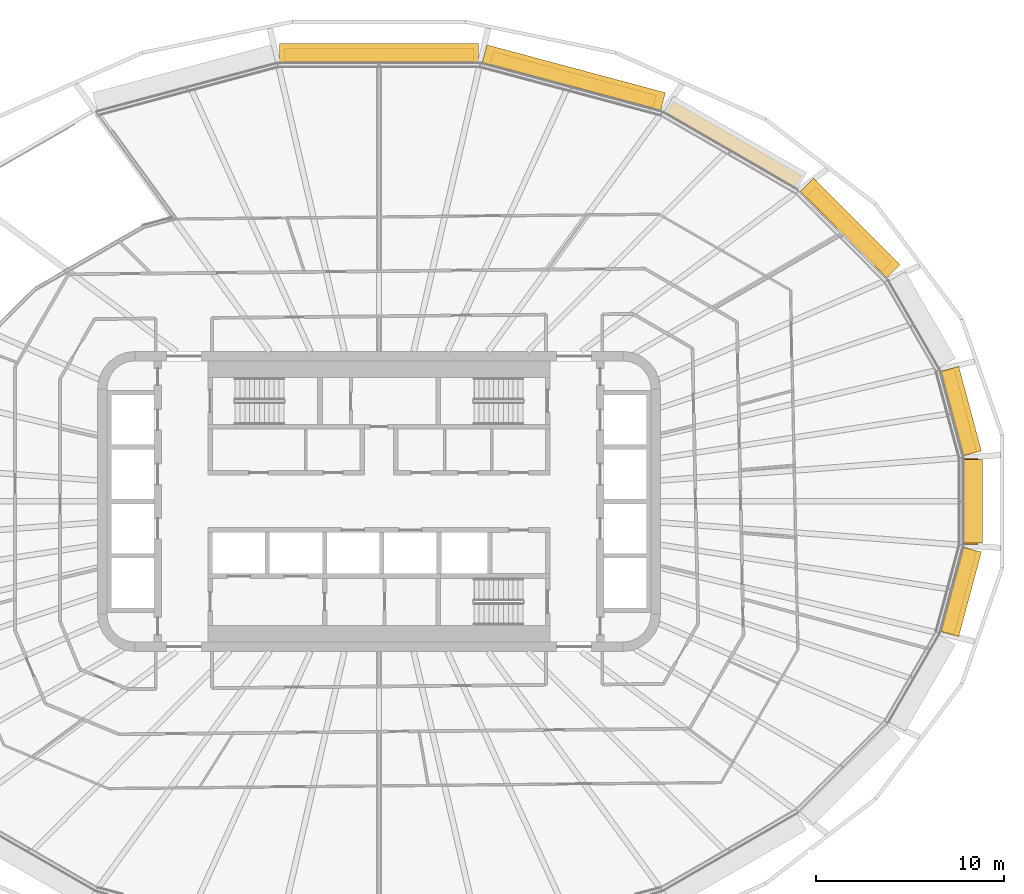
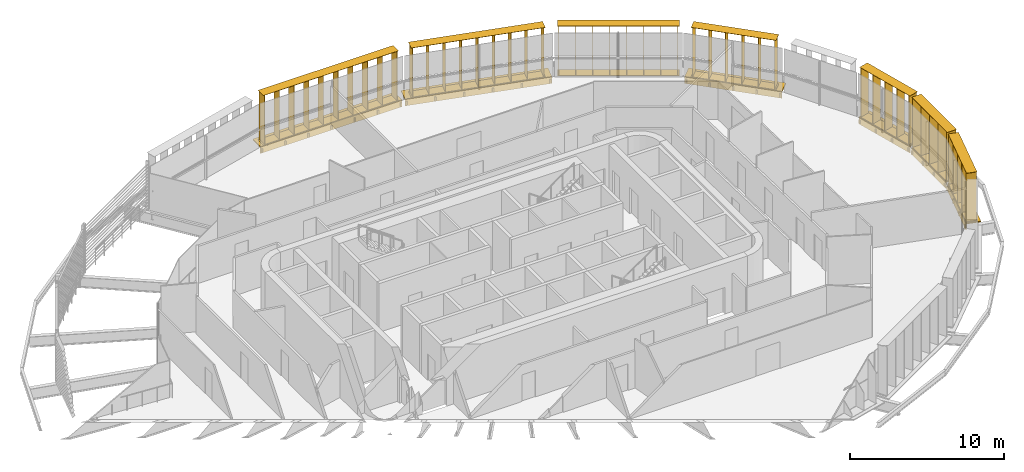
# One storey, part 23 of 23: 13 shading devices.
"""IFC4 building model written with IfcOpenShell, lengths in metres."""

from ifc_helpers import new_model, si_unit, direction, frame, origin, origin_2d, place, context, subcontext, project, spatial, rectangle, extrude, material, type_object, element, save


model = new_model("IFC4")

# Units and contexts
model_context = context("Model", 3, precision=1e-05, world=origin(), true_north=direction((0.0, 1.0)))
body_context = subcontext(model_context, "Body", "Model", "MODEL_VIEW")
ifc_project = project(units=[si_unit("LENGTHUNIT", "METRE"), si_unit("AREAUNIT", "SQUARE_METRE"), si_unit("VOLUMEUNIT", "CUBIC_METRE"), si_unit("PLANEANGLEUNIT", "RADIAN"), si_unit("MASSUNIT", "GRAM", prefix="KILO")], contexts=[model_context])

# Site, building, storey
site_placement = place(None, origin())
site = spatial("IfcSite", under=ifc_project, at=site_placement, CompositionType="ELEMENT")
building_placement = place(site_placement, origin())
building = spatial("IfcBuilding", under=site, at=building_placement, Name="Sahrelin Media Tower", CompositionType="ELEMENT")
storey_placement = place(building_placement, frame((0.0, 0.0, 173.60009765625)))
storey = spatial("IfcBuildingStorey", under=building, at=storey_placement, Name="L36", CompositionType="ELEMENT", Elevation=173.60009765625)

# Shading devices
ifc_material = material(Name="Champagne anodised aluminium 6063-T6", Category="aluminium")
shading_device_type_1 = type_object("IfcShadingDeviceType", Name="Fin cassette", PredefinedType="USERDEFINED", material=ifc_material)
placement_1 = place(storey_placement, frame((31.14892578125, 0.0, 0.0), z_axis=(0.0, 0.0, 1.0), x_axis=(0.0, -1.0, 0.0)))
element("IfcShadingDevice", 1, at=placement_1, inside=storey, type_object=shading_device_type_1, Name="L36:FIN:L36-00", ObjectType="FIN", PredefinedType="USERDEFINED", context=body_context, shape_type="SweptSolid", body=[
    extrude(rectangle(XDim=4.60009765625, YDim=0.699951171875, at=origin_2d()), frame((0.0, 0.419921875, 0.0)), (0.0, 0.0, 1.0), 0.02001953125),
    extrude(rectangle(XDim=4.60009765625, YDim=0.699951171875, at=origin_2d()), frame((0.0, 0.419921875, 3.89990234375)), (0.0, 0.0, 1.0), 0.02001953125),
    extrude(rectangle(XDim=0.02001953125, YDim=0.699951171875, at=origin_2d()), frame((-2.199951171875, 0.419921875, 0.010009765625), z_axis=(0.0, 0.0, 1.0), x_axis=(1.0, 0.0, 0.0)), (0.0, 0.0, 1.0), 3.89990234375),
    extrude(rectangle(XDim=0.02001953125, YDim=0.699951171875, at=origin_2d()), frame((-1.10009765625, 0.419921875, 0.010009765625), z_axis=(0.0, 0.0, 1.0), x_axis=(1.0, 0.0, 0.0)), (0.0, 0.0, 1.0), 3.89990234375),
    extrude(rectangle(XDim=0.02001953125, YDim=0.699951171875, at=origin_2d()), frame((0.0, 0.419921875, 0.010009765625), z_axis=(0.0, 0.0, 1.0), x_axis=(1.0, 0.0, 0.0)), (0.0, 0.0, 1.0), 3.89990234375),
    extrude(rectangle(XDim=0.02001953125, YDim=0.699951171875, at=origin_2d()), frame((1.10009765625, 0.419921875, 0.010009765625), z_axis=(0.0, 0.0, 1.0), x_axis=(1.0, 0.0, 0.0)), (0.0, 0.0, 1.0), 3.89990234375),
    extrude(rectangle(XDim=0.02001953125, YDim=0.699951171875, at=origin_2d()), frame((2.199951171875, 0.419921875, 0.010009765625), z_axis=(0.0, 0.0, 1.0), x_axis=(1.0, 0.0, 0.0)), (0.0, 0.0, 1.0), 3.89990234375),
])
placement_2 = place(storey_placement, frame((30.51904296875, 4.677978515625, 0.0), z_axis=(0.0, 0.0, 1.0), x_axis=(0.258807731996, -0.965928857556, 0.0)))
element("IfcShadingDevice", 2, at=placement_2, inside=storey, type_object=shading_device_type_1, Name="L36:FIN:L36-01", ObjectType="FIN", PredefinedType="USERDEFINED", context=body_context, shape_type="SweptSolid", body=[
    extrude(rectangle(XDim=4.60009765625, YDim=0.699951171875, at=origin_2d()), frame((0.0, 0.419921875, 0.0)), (0.0, 0.0, 1.0), 0.02001953125),
    extrude(rectangle(XDim=4.60009765625, YDim=0.699951171875, at=origin_2d()), frame((0.0, 0.419921875, 3.89990234375)), (0.0, 0.0, 1.0), 0.02001953125),
    extrude(rectangle(XDim=0.02001953125, YDim=0.699951171875, at=origin_2d()), frame((-2.199951171875, 0.419921875, 0.010009765625), z_axis=(0.0, 0.0, 1.0), x_axis=(1.0, 0.0, 0.0)), (0.0, 0.0, 1.0), 3.89990234375),
    extrude(rectangle(XDim=0.02001953125, YDim=0.699951171875, at=origin_2d()), frame((-1.10009765625, 0.419921875, 0.010009765625), z_axis=(0.0, 0.0, 1.0), x_axis=(1.0, 0.0, 0.0)), (0.0, 0.0, 1.0), 3.89990234375),
    extrude(rectangle(XDim=0.02001953125, YDim=0.699951171875, at=origin_2d()), frame((0.0, 0.419921875, 0.010009765625), z_axis=(0.0, 0.0, 1.0), x_axis=(1.0, 0.0, 0.0)), (0.0, 0.0, 1.0), 3.89990234375),
    extrude(rectangle(XDim=0.02001953125, YDim=0.699951171875, at=origin_2d()), frame((1.10009765625, 0.419921875, 0.010009765625), z_axis=(0.0, 0.0, 1.0), x_axis=(1.0, 0.0, 0.0)), (0.0, 0.0, 1.0), 3.89990234375),
    extrude(rectangle(XDim=0.02001953125, YDim=0.699951171875, at=origin_2d()), frame((2.199951171875, 0.419921875, 0.010009765625), z_axis=(0.0, 0.0, 1.0), x_axis=(1.0, 0.0, 0.0)), (0.0, 0.0, 1.0), 3.89990234375),
])
placement_3 = place(storey_placement, frame((24.740966796875, 14.2041015625, 0.0), z_axis=(0.0, 0.0, 1.0), x_axis=(0.707106781187, -0.707106781187, 0.0)))
element("IfcShadingDevice", 3, at=placement_3, inside=storey, type_object=shading_device_type_1, Name="L36:FIN:L36-03", ObjectType="FIN", PredefinedType="USERDEFINED", context=body_context, shape_type="SweptSolid", body=[
    extrude(rectangle(XDim=5.699951171875, YDim=0.699951171875, at=origin_2d()), frame((0.0, 0.419921875, 0.0)), (0.0, 0.0, 1.0), 0.02001953125),
    extrude(rectangle(XDim=5.699951171875, YDim=0.699951171875, at=origin_2d()), frame((0.0, 0.419921875, 3.89990234375)), (0.0, 0.0, 1.0), 0.02001953125),
    extrude(rectangle(XDim=0.02001953125, YDim=0.699951171875, at=origin_2d()), frame((-2.75, 0.419921875, 0.010009765625), z_axis=(0.0, 0.0, 1.0), x_axis=(1.0, 0.0, 0.0)), (0.0, 0.0, 1.0), 3.89990234375),
    extrude(rectangle(XDim=0.02001953125, YDim=0.699951171875, at=origin_2d()), frame((-1.64990234375, 0.419921875, 0.010009765625), z_axis=(0.0, 0.0, 1.0), x_axis=(1.0, 0.0, 0.0)), (0.0, 0.0, 1.0), 3.89990234375),
    extrude(rectangle(XDim=0.02001953125, YDim=0.699951171875, at=origin_2d()), frame((-0.550048828125, 0.419921875, 0.010009765625), z_axis=(0.0, 0.0, 1.0), x_axis=(1.0, 0.0, 0.0)), (0.0, 0.0, 1.0), 3.89990234375),
    extrude(rectangle(XDim=0.02001953125, YDim=0.699951171875, at=origin_2d()), frame((0.550048828125, 0.419921875, 0.010009765625), z_axis=(0.0, 0.0, 1.0), x_axis=(1.0, 0.0, 0.0)), (0.0, 0.0, 1.0), 3.89990234375),
    extrude(rectangle(XDim=0.02001953125, YDim=0.699951171875, at=origin_2d()), frame((1.64990234375, 0.419921875, 0.010009765625), z_axis=(0.0, 0.0, 1.0), x_axis=(1.0, 0.0, 0.0)), (0.0, 0.0, 1.0), 3.89990234375),
    extrude(rectangle(XDim=0.02001953125, YDim=0.699951171875, at=origin_2d()), frame((2.75, 0.419921875, 0.010009765625), z_axis=(0.0, 0.0, 1.0), x_axis=(1.0, 0.0, 0.0)), (0.0, 0.0, 1.0), 3.89990234375),
])
shading_device_4_placement = place(storey_placement, frame((18.73095703125, 18.67919921875, 0.0), z_axis=(0.0, 0.0, 1.0), x_axis=(0.866019052629, -0.500011000363, 0.0)))
element("IfcShadingDevice", 4, at=shading_device_4_placement, inside=storey, type_object=shading_device_type_1, Name="L36:FIN:L36-04", ObjectType="FIN", PredefinedType="USERDEFINED", context=body_context, shape_type="SweptSolid", body=[
    extrude(rectangle(XDim=7.89990234375, YDim=0.699951171875, at=origin_2d()), frame((0.0, 0.419921875, 0.0)), (0.0, 0.0, 1.0), 0.02001953125),
    extrude(rectangle(XDim=7.89990234375, YDim=0.699951171875, at=origin_2d()), frame((0.0, 0.419921875, 3.89990234375)), (0.0, 0.0, 1.0), 0.02001953125),
    extrude(rectangle(XDim=0.02001953125, YDim=0.699951171875, at=origin_2d()), frame((-3.85009765625, 0.419921875, 0.010009765625), z_axis=(0.0, 0.0, 1.0), x_axis=(1.0, 0.0, 0.0)), (0.0, 0.0, 1.0), 3.89990234375),
    extrude(rectangle(XDim=0.02001953125, YDim=0.699951171875, at=origin_2d()), frame((-2.75, 0.419921875, 0.010009765625), z_axis=(0.0, 0.0, 1.0), x_axis=(1.0, 0.0, 0.0)), (0.0, 0.0, 1.0), 3.89990234375),
    extrude(rectangle(XDim=0.02001953125, YDim=0.699951171875, at=origin_2d()), frame((-1.64990234375, 0.419921875, 0.010009765625), z_axis=(0.0, 0.0, 1.0), x_axis=(1.0, 0.0, 0.0)), (0.0, 0.0, 1.0), 3.89990234375),
    extrude(rectangle(XDim=0.02001953125, YDim=0.699951171875, at=origin_2d()), frame((-0.550048828125, 0.419921875, 0.010009765625), z_axis=(0.0, 0.0, 1.0), x_axis=(1.0, 0.0, 0.0)), (0.0, 0.0, 1.0), 3.89990234375),
    extrude(rectangle(XDim=0.02001953125, YDim=0.699951171875, at=origin_2d()), frame((0.550048828125, 0.419921875, 0.010009765625), z_axis=(0.0, 0.0, 1.0), x_axis=(1.0, 0.0, 0.0)), (0.0, 0.0, 1.0), 3.89990234375),
    extrude(rectangle(XDim=0.02001953125, YDim=0.699951171875, at=origin_2d()), frame((1.64990234375, 0.419921875, 0.010009765625), z_axis=(0.0, 0.0, 1.0), x_axis=(1.0, 0.0, 0.0)), (0.0, 0.0, 1.0), 3.89990234375),
    extrude(rectangle(XDim=0.02001953125, YDim=0.699951171875, at=origin_2d()), frame((2.75, 0.419921875, 0.010009765625), z_axis=(0.0, 0.0, 1.0), x_axis=(1.0, 0.0, 0.0)), (0.0, 0.0, 1.0), 3.89990234375),
    extrude(rectangle(XDim=0.02001953125, YDim=0.699951171875, at=origin_2d()), frame((3.85009765625, 0.419921875, 0.010009765625), z_axis=(0.0, 0.0, 1.0), x_axis=(1.0, 0.0, 0.0)), (0.0, 0.0, 1.0), 3.89990234375),
])
placement_4 = place(storey_placement, frame((10.2470703125, 22.076171875, 0.0), z_axis=(0.0, 0.0, 1.0), x_axis=(0.965928857556, -0.258807731996, 0.0)))
element("IfcShadingDevice", 5, at=placement_4, inside=storey, type_object=shading_device_type_1, Name="L36:FIN:L36-05", ObjectType="FIN", PredefinedType="USERDEFINED", context=body_context, shape_type="SweptSolid", body=[
    extrude(rectangle(XDim=9.0, YDim=0.699951171875, at=origin_2d()), frame((0.0, 0.419921875, 0.0)), (0.0, 0.0, 1.0), 0.02001953125),
    extrude(rectangle(XDim=9.0, YDim=0.699951171875, at=origin_2d()), frame((0.0, 0.419921875, 3.89990234375)), (0.0, 0.0, 1.0), 0.02001953125),
    extrude(rectangle(XDim=0.02001953125, YDim=0.699951171875, at=origin_2d()), frame((-4.39990234375, 0.419921875, 0.010009765625), z_axis=(0.0, 0.0, 1.0), x_axis=(1.0, 0.0, 0.0)), (0.0, 0.0, 1.0), 3.89990234375),
    extrude(rectangle(XDim=0.02001953125, YDim=0.699951171875, at=origin_2d()), frame((-3.300048828125, 0.419921875, 0.010009765625), z_axis=(0.0, 0.0, 1.0), x_axis=(1.0, 0.0, 0.0)), (0.0, 0.0, 1.0), 3.89990234375),
    extrude(rectangle(XDim=0.02001953125, YDim=0.699951171875, at=origin_2d()), frame((-2.199951171875, 0.419921875, 0.010009765625), z_axis=(0.0, 0.0, 1.0), x_axis=(1.0, 0.0, 0.0)), (0.0, 0.0, 1.0), 3.89990234375),
    extrude(rectangle(XDim=0.02001953125, YDim=0.699951171875, at=origin_2d()), frame((-1.10009765625, 0.419921875, 0.010009765625), z_axis=(0.0, 0.0, 1.0), x_axis=(1.0, 0.0, 0.0)), (0.0, 0.0, 1.0), 3.89990234375),
    extrude(rectangle(XDim=0.02001953125, YDim=0.699951171875, at=origin_2d()), frame((0.0, 0.419921875, 0.010009765625), z_axis=(0.0, 0.0, 1.0), x_axis=(1.0, 0.0, 0.0)), (0.0, 0.0, 1.0), 3.89990234375),
    extrude(rectangle(XDim=0.02001953125, YDim=0.699951171875, at=origin_2d()), frame((1.10009765625, 0.419921875, 0.010009765625), z_axis=(0.0, 0.0, 1.0), x_axis=(1.0, 0.0, 0.0)), (0.0, 0.0, 1.0), 3.89990234375),
    extrude(rectangle(XDim=0.02001953125, YDim=0.699951171875, at=origin_2d()), frame((2.199951171875, 0.419921875, 0.010009765625), z_axis=(0.0, 0.0, 1.0), x_axis=(1.0, 0.0, 0.0)), (0.0, 0.0, 1.0), 3.89990234375),
    extrude(rectangle(XDim=0.02001953125, YDim=0.699951171875, at=origin_2d()), frame((3.300048828125, 0.419921875, 0.010009765625), z_axis=(0.0, 0.0, 1.0), x_axis=(1.0, 0.0, 0.0)), (0.0, 0.0, 1.0), 3.89990234375),
    extrude(rectangle(XDim=0.02001953125, YDim=0.699951171875, at=origin_2d()), frame((4.39990234375, 0.419921875, 0.010009765625), z_axis=(0.0, 0.0, 1.0), x_axis=(1.0, 0.0, 0.0)), (0.0, 0.0, 1.0), 3.89990234375),
])
placement_5 = place(storey_placement, frame((0.0, 23.37646484375, 0.0), z_axis=(0.0, 0.0, 1.0), x_axis=(1.0, 0.0, 0.0)))
element("IfcShadingDevice", 6, at=placement_5, inside=storey, type_object=shading_device_type_1, Name="L36:FIN:L36-06", ObjectType="FIN", PredefinedType="USERDEFINED", context=body_context, shape_type="SweptSolid", body=[
    extrude(rectangle(XDim=10.10009765625, YDim=0.699951171875, at=origin_2d()), frame((0.0, 0.419921875, 0.0)), (0.0, 0.0, 1.0), 0.02001953125),
    extrude(rectangle(XDim=10.10009765625, YDim=0.699951171875, at=origin_2d()), frame((0.0, 0.419921875, 3.89990234375)), (0.0, 0.0, 1.0), 0.02001953125),
    extrude(rectangle(XDim=0.02001953125, YDim=0.699951171875, at=origin_2d()), frame((-4.949951171875, 0.419921875, 0.010009765625), z_axis=(0.0, 0.0, 1.0), x_axis=(1.0, 0.0, 0.0)), (0.0, 0.0, 1.0), 3.89990234375),
    extrude(rectangle(XDim=0.02001953125, YDim=0.699951171875, at=origin_2d()), frame((-3.85009765625, 0.419921875, 0.010009765625), z_axis=(0.0, 0.0, 1.0), x_axis=(1.0, 0.0, 0.0)), (0.0, 0.0, 1.0), 3.89990234375),
    extrude(rectangle(XDim=0.02001953125, YDim=0.699951171875, at=origin_2d()), frame((-2.75, 0.419921875, 0.010009765625), z_axis=(0.0, 0.0, 1.0), x_axis=(1.0, 0.0, 0.0)), (0.0, 0.0, 1.0), 3.89990234375),
    extrude(rectangle(XDim=0.02001953125, YDim=0.699951171875, at=origin_2d()), frame((-1.64990234375, 0.419921875, 0.010009765625), z_axis=(0.0, 0.0, 1.0), x_axis=(1.0, 0.0, 0.0)), (0.0, 0.0, 1.0), 3.89990234375),
    extrude(rectangle(XDim=0.02001953125, YDim=0.699951171875, at=origin_2d()), frame((-0.550048828125, 0.419921875, 0.010009765625), z_axis=(0.0, 0.0, 1.0), x_axis=(1.0, 0.0, 0.0)), (0.0, 0.0, 1.0), 3.89990234375),
    extrude(rectangle(XDim=0.02001953125, YDim=0.699951171875, at=origin_2d()), frame((0.550048828125, 0.419921875, 0.010009765625), z_axis=(0.0, 0.0, 1.0), x_axis=(1.0, 0.0, 0.0)), (0.0, 0.0, 1.0), 3.89990234375),
    extrude(rectangle(XDim=0.02001953125, YDim=0.699951171875, at=origin_2d()), frame((1.64990234375, 0.419921875, 0.010009765625), z_axis=(0.0, 0.0, 1.0), x_axis=(1.0, 0.0, 0.0)), (0.0, 0.0, 1.0), 3.89990234375),
    extrude(rectangle(XDim=0.02001953125, YDim=0.699951171875, at=origin_2d()), frame((2.75, 0.419921875, 0.010009765625), z_axis=(0.0, 0.0, 1.0), x_axis=(1.0, 0.0, 0.0)), (0.0, 0.0, 1.0), 3.89990234375),
    extrude(rectangle(XDim=0.02001953125, YDim=0.699951171875, at=origin_2d()), frame((3.85009765625, 0.419921875, 0.010009765625), z_axis=(0.0, 0.0, 1.0), x_axis=(1.0, 0.0, 0.0)), (0.0, 0.0, 1.0), 3.89990234375),
    extrude(rectangle(XDim=0.02001953125, YDim=0.699951171875, at=origin_2d()), frame((4.949951171875, 0.419921875, 0.010009765625), z_axis=(0.0, 0.0, 1.0), x_axis=(1.0, 0.0, 0.0)), (0.0, 0.0, 1.0), 3.89990234375),
])
placement_6 = place(storey_placement, frame((30.51904296875, -4.677978515625, 0.0), z_axis=(0.0, 0.0, 1.0), x_axis=(-0.258807731996, -0.965928857556, 0.0)))
element("IfcShadingDevice", 7, at=placement_6, inside=storey, type_object=shading_device_type_1, Name="L36:FIN:L36-23", ObjectType="FIN", PredefinedType="USERDEFINED", context=body_context, shape_type="SweptSolid", body=[
    extrude(rectangle(XDim=4.60009765625, YDim=0.699951171875, at=origin_2d()), frame((0.0, 0.419921875, 0.0)), (0.0, 0.0, 1.0), 0.02001953125),
    extrude(rectangle(XDim=4.60009765625, YDim=0.699951171875, at=origin_2d()), frame((0.0, 0.419921875, 3.89990234375)), (0.0, 0.0, 1.0), 0.02001953125),
    extrude(rectangle(XDim=0.02001953125, YDim=0.699951171875, at=origin_2d()), frame((-2.199951171875, 0.419921875, 0.010009765625), z_axis=(0.0, 0.0, 1.0), x_axis=(1.0, 0.0, 0.0)), (0.0, 0.0, 1.0), 3.89990234375),
    extrude(rectangle(XDim=0.02001953125, YDim=0.699951171875, at=origin_2d()), frame((-1.10009765625, 0.419921875, 0.010009765625), z_axis=(0.0, 0.0, 1.0), x_axis=(1.0, 0.0, 0.0)), (0.0, 0.0, 1.0), 3.89990234375),
    extrude(rectangle(XDim=0.02001953125, YDim=0.699951171875, at=origin_2d()), frame((0.0, 0.419921875, 0.010009765625), z_axis=(0.0, 0.0, 1.0), x_axis=(1.0, 0.0, 0.0)), (0.0, 0.0, 1.0), 3.89990234375),
    extrude(rectangle(XDim=0.02001953125, YDim=0.699951171875, at=origin_2d()), frame((1.10009765625, 0.419921875, 0.010009765625), z_axis=(0.0, 0.0, 1.0), x_axis=(1.0, 0.0, 0.0)), (0.0, 0.0, 1.0), 3.89990234375),
    extrude(rectangle(XDim=0.02001953125, YDim=0.699951171875, at=origin_2d()), frame((2.199951171875, 0.419921875, 0.010009765625), z_axis=(0.0, 0.0, 1.0), x_axis=(1.0, 0.0, 0.0)), (0.0, 0.0, 1.0), 3.89990234375),
])
shading_device_type_2 = type_object("IfcShadingDeviceType", Name="Sunshade band", PredefinedType="USERDEFINED", material=ifc_material)
element("IfcShadingDevice", 8, at=placement_1, inside=storey, type_object=shading_device_type_2, Name="L36:SUN:L36-00", ObjectType="SUNSHADE", PredefinedType="USERDEFINED", context=body_context, shape_type="SweptSolid", body=[
    extrude(rectangle(XDim=4.4541015625, YDim=0.050048828125, at=origin_2d()), frame((0.0, 0.044921875, -0.55126953125)), (0.0, 0.0, 1.0), 0.471435546875),
    extrude(rectangle(XDim=4.4541015625, YDim=1.0, at=origin_2d()), frame((0.0, 0.52001953125, -0.080078125)), (0.0, 0.0, 1.0), 0.080078125),
    extrude(rectangle(XDim=0.10009765625, YDim=0.074951171875, at=origin_2d()), frame((-2.127197265625, -0.017578125, -0.47021484375)), (0.0, 0.0, 1.0), 0.300048828125),
    extrude(rectangle(XDim=0.10009765625, YDim=0.074951171875, at=origin_2d()), frame((-0.708984375, -0.017578125, -0.47021484375)), (0.0, 0.0, 1.0), 0.300048828125),
    extrude(rectangle(XDim=0.10009765625, YDim=0.074951171875, at=origin_2d()), frame((0.708984375, -0.017578125, -0.47021484375)), (0.0, 0.0, 1.0), 0.300048828125),
    extrude(rectangle(XDim=0.10009765625, YDim=0.074951171875, at=origin_2d()), frame((2.127197265625, -0.017578125, -0.47021484375)), (0.0, 0.0, 1.0), 0.300048828125),
])
element("IfcShadingDevice", 9, at=placement_2, inside=storey, type_object=shading_device_type_2, Name="L36:SUN:L36-01", ObjectType="SUNSHADE", PredefinedType="USERDEFINED", context=body_context, shape_type="SweptSolid", body=[
    extrude(rectangle(XDim=4.66748046875, YDim=0.050048828125, at=origin_2d()), frame((0.0, 0.044921875, -0.55126953125)), (0.0, 0.0, 1.0), 0.471435546875),
    extrude(rectangle(XDim=4.66748046875, YDim=1.0, at=origin_2d()), frame((0.0, 0.52001953125, -0.080078125)), (0.0, 0.0, 1.0), 0.080078125),
    extrude(rectangle(XDim=0.10009765625, YDim=0.074951171875, at=origin_2d()), frame((-2.233642578125, -0.017578125, -0.47021484375)), (0.0, 0.0, 1.0), 0.300048828125),
    extrude(rectangle(XDim=0.10009765625, YDim=0.074951171875, at=origin_2d()), frame((-0.74462890625, -0.017578125, -0.47021484375)), (0.0, 0.0, 1.0), 0.300048828125),
    extrude(rectangle(XDim=0.10009765625, YDim=0.074951171875, at=origin_2d()), frame((0.74462890625, -0.017578125, -0.47021484375)), (0.0, 0.0, 1.0), 0.300048828125),
    extrude(rectangle(XDim=0.10009765625, YDim=0.074951171875, at=origin_2d()), frame((2.233642578125, -0.017578125, -0.47021484375)), (0.0, 0.0, 1.0), 0.300048828125),
])
element("IfcShadingDevice", 10, at=placement_3, inside=storey, type_object=shading_device_type_2, Name="L36:SUN:L36-03", ObjectType="SUNSHADE", PredefinedType="USERDEFINED", context=body_context, shape_type="SweptSolid", body=[
    extrude(rectangle(XDim=6.528564453125, YDim=0.050048828125, at=origin_2d()), frame((0.0, 0.044921875, -0.55126953125)), (0.0, 0.0, 1.0), 0.471435546875),
    extrude(rectangle(XDim=6.528564453125, YDim=1.0, at=origin_2d()), frame((0.0, 0.52001953125, -0.080078125)), (0.0, 0.0, 1.0), 0.080078125),
    extrude(rectangle(XDim=0.10009765625, YDim=0.074951171875, at=origin_2d()), frame((-3.164306640625, -0.017578125, -0.47021484375)), (0.0, 0.0, 1.0), 0.300048828125),
    extrude(rectangle(XDim=0.10009765625, YDim=0.074951171875, at=origin_2d()), frame((-1.58203125, -0.017578125, -0.47021484375)), (0.0, 0.0, 1.0), 0.300048828125),
    extrude(rectangle(XDim=0.10009765625, YDim=0.074951171875, at=origin_2d()), frame((0.0, -0.017578125, -0.47021484375)), (0.0, 0.0, 1.0), 0.300048828125),
    extrude(rectangle(XDim=0.10009765625, YDim=0.074951171875, at=origin_2d()), frame((1.58203125, -0.017578125, -0.47021484375)), (0.0, 0.0, 1.0), 0.300048828125),
    extrude(rectangle(XDim=0.10009765625, YDim=0.074951171875, at=origin_2d()), frame((3.164306640625, -0.017578125, -0.47021484375)), (0.0, 0.0, 1.0), 0.300048828125),
])
element("IfcShadingDevice", 11, at=placement_4, inside=storey, type_object=shading_device_type_2, Name="L36:SUN:L36-05", ObjectType="SUNSHADE", PredefinedType="USERDEFINED", context=body_context, shape_type="SweptSolid", body=[
    extrude(rectangle(XDim=9.848388671875, YDim=0.050048828125, at=origin_2d()), frame((0.0, 0.044921875, -0.55126953125)), (0.0, 0.0, 1.0), 0.471435546875),
    extrude(rectangle(XDim=9.848388671875, YDim=1.0, at=origin_2d()), frame((0.0, 0.52001953125, -0.080078125)), (0.0, 0.0, 1.0), 0.080078125),
    extrude(rectangle(XDim=0.10009765625, YDim=0.074951171875, at=origin_2d()), frame((-4.82421875, -0.017578125, -0.47021484375)), (0.0, 0.0, 1.0), 0.300048828125),
    extrude(rectangle(XDim=0.10009765625, YDim=0.074951171875, at=origin_2d()), frame((-2.89453125, -0.017578125, -0.47021484375)), (0.0, 0.0, 1.0), 0.300048828125),
    extrude(rectangle(XDim=0.10009765625, YDim=0.074951171875, at=origin_2d()), frame((-0.96484375, -0.017578125, -0.47021484375)), (0.0, 0.0, 1.0), 0.300048828125),
    extrude(rectangle(XDim=0.10009765625, YDim=0.074951171875, at=origin_2d()), frame((0.96484375, -0.017578125, -0.47021484375)), (0.0, 0.0, 1.0), 0.300048828125),
    extrude(rectangle(XDim=0.10009765625, YDim=0.074951171875, at=origin_2d()), frame((2.89453125, -0.017578125, -0.47021484375)), (0.0, 0.0, 1.0), 0.300048828125),
    extrude(rectangle(XDim=0.10009765625, YDim=0.074951171875, at=origin_2d()), frame((4.82421875, -0.017578125, -0.47021484375)), (0.0, 0.0, 1.0), 0.300048828125),
])
element("IfcShadingDevice", 12, at=placement_5, inside=storey, type_object=shading_device_type_2, Name="L36:SUN:L36-06", ObjectType="SUNSHADE", PredefinedType="USERDEFINED", context=body_context, shape_type="SweptSolid", body=[
    extrude(rectangle(XDim=10.587890625, YDim=0.050048828125, at=origin_2d()), frame((0.0, 0.044921875, -0.55126953125)), (0.0, 0.0, 1.0), 0.471435546875),
    extrude(rectangle(XDim=10.587890625, YDim=1.0, at=origin_2d()), frame((0.0, 0.52001953125, -0.080078125)), (0.0, 0.0, 1.0), 0.080078125),
    extrude(rectangle(XDim=0.10009765625, YDim=0.074951171875, at=origin_2d()), frame((-5.194091796875, -0.017578125, -0.47021484375)), (0.0, 0.0, 1.0), 0.300048828125),
    extrude(rectangle(XDim=0.10009765625, YDim=0.074951171875, at=origin_2d()), frame((-3.462646484375, -0.017578125, -0.47021484375)), (0.0, 0.0, 1.0), 0.300048828125),
    extrude(rectangle(XDim=0.10009765625, YDim=0.074951171875, at=origin_2d()), frame((-1.731201171875, -0.017578125, -0.47021484375)), (0.0, 0.0, 1.0), 0.300048828125),
    extrude(rectangle(XDim=0.10009765625, YDim=0.074951171875, at=origin_2d()), frame((0.0, -0.017578125, -0.47021484375)), (0.0, 0.0, 1.0), 0.300048828125),
    extrude(rectangle(XDim=0.10009765625, YDim=0.074951171875, at=origin_2d()), frame((1.731201171875, -0.017578125, -0.47021484375)), (0.0, 0.0, 1.0), 0.300048828125),
    extrude(rectangle(XDim=0.10009765625, YDim=0.074951171875, at=origin_2d()), frame((3.462646484375, -0.017578125, -0.47021484375)), (0.0, 0.0, 1.0), 0.300048828125),
    extrude(rectangle(XDim=0.10009765625, YDim=0.074951171875, at=origin_2d()), frame((5.194091796875, -0.017578125, -0.47021484375)), (0.0, 0.0, 1.0), 0.300048828125),
])
element("IfcShadingDevice", 13, at=placement_6, inside=storey, type_object=shading_device_type_2, Name="L36:SUN:L36-23", ObjectType="SUNSHADE", PredefinedType="USERDEFINED", context=body_context, shape_type="SweptSolid", body=[
    extrude(rectangle(XDim=4.66748046875, YDim=0.050048828125, at=origin_2d()), frame((0.0, 0.044921875, -0.55126953125)), (0.0, 0.0, 1.0), 0.471435546875),
    extrude(rectangle(XDim=4.66748046875, YDim=1.0, at=origin_2d()), frame((0.0, 0.52001953125, -0.080078125)), (0.0, 0.0, 1.0), 0.080078125),
    extrude(rectangle(XDim=0.10009765625, YDim=0.074951171875, at=origin_2d()), frame((-2.233642578125, -0.017578125, -0.47021484375)), (0.0, 0.0, 1.0), 0.300048828125),
    extrude(rectangle(XDim=0.10009765625, YDim=0.074951171875, at=origin_2d()), frame((-0.74462890625, -0.017578125, -0.47021484375)), (0.0, 0.0, 1.0), 0.300048828125),
    extrude(rectangle(XDim=0.10009765625, YDim=0.074951171875, at=origin_2d()), frame((0.74462890625, -0.017578125, -0.47021484375)), (0.0, 0.0, 1.0), 0.300048828125),
    extrude(rectangle(XDim=0.10009765625, YDim=0.074951171875, at=origin_2d()), frame((2.233642578125, -0.017578125, -0.47021484375)), (0.0, 0.0, 1.0), 0.300048828125),
])

save(model, "model.ifc")
